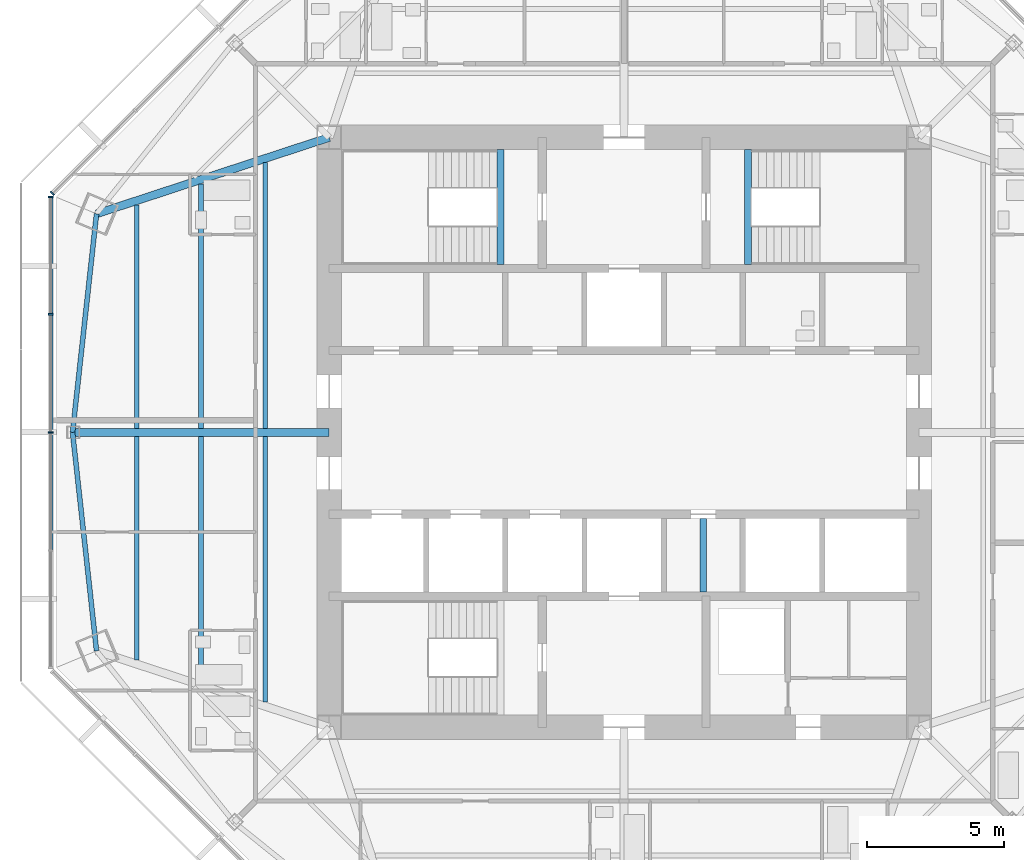
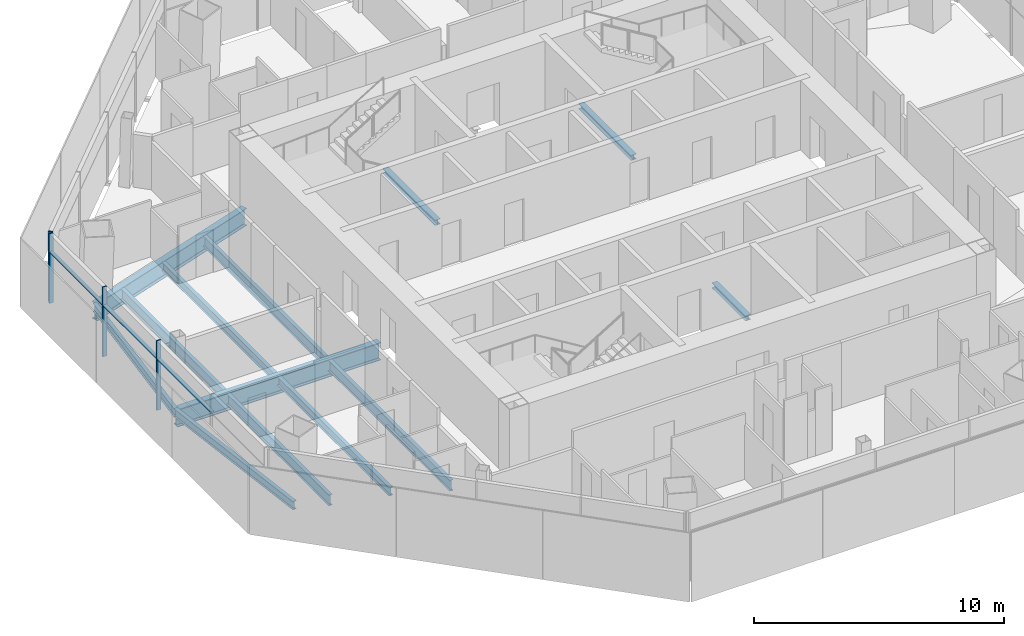
# One storey, part 3 of 15: 13 beams, 7 members, 2 elements without a shape of their own.
"""IFC4 building model written with IfcOpenShell, lengths in metres."""

from ifc_helpers import new_model, si_unit, direction, frame, origin, origin_2d, place, context, subcontext, project, spatial, rectangle, i_section, extrude, source, transform, mapped, material, material_profile, profile_set, type_object, type_shapes, element, aggregate, save


model = new_model("IFC4")

# Units and contexts
model_context = context("Model", 3, precision=1e-05, world=origin(), true_north=direction((0.0, 1.0)))
body_context = subcontext(model_context, "Body", "Model", "MODEL_VIEW")
ifc_project = project(units=[si_unit("LENGTHUNIT", "METRE"), si_unit("AREAUNIT", "SQUARE_METRE"), si_unit("VOLUMEUNIT", "CUBIC_METRE"), si_unit("PLANEANGLEUNIT", "RADIAN"), si_unit("MASSUNIT", "GRAM", prefix="KILO")], contexts=[model_context])

# Site, building, storey
site_placement = place(None, origin())
site = spatial("IfcSite", under=ifc_project, at=site_placement, CompositionType="ELEMENT")
building_placement = place(site_placement, origin())
building = spatial("IfcBuilding", under=site, at=building_placement, Name="Mashrafa Tower", CompositionType="ELEMENT")
storey_placement = place(building_placement, frame((0.0, 0.0, 248.199951171875)))
storey = spatial("IfcBuildingStorey", under=building, at=storey_placement, Name="L59", CompositionType="ELEMENT", Elevation=248.199951171875)

# Beams
ifc_material_1 = material(Name="Steel ASTM A992", Category="steel")
ifc_material_profile_1 = material_profile(ifc_material_1, i_section(OverallWidth=0.177734375, OverallDepth=0.406494140625, WebThickness=0.0078125, FlangeThickness=0.012939453125, FilletRadius=0.01025390625, at=origin_2d()), Name="W16X40")
ifc_profile_set_1 = profile_set([ifc_material_profile_1], Name="Steel ASTM A992")
beam_type_1 = type_object("IfcBeamType", Name="Beam W16X40", PredefinedType="BEAM", material=ifc_profile_set_1)
for number, where, z_axis, x_axis, name in (
    (1, (-15.49951171875, -9.103515625, -0.403076171875), (0.0, 1.0, 0.0), (-1.0, 0.0, 0.0), "Floor beam L59 004"),
    (2, (-15.49951171875, 0.14599609375, -0.403076171875), (0.0, 1.0, 0.0), (-1.0, 0.0, 0.0), "Floor beam L59 005"),
):
    element("IfcBeam", number, at=place(storey_placement, frame(where, z_axis=z_axis, x_axis=x_axis)), inside=storey, type_object=beam_type_1, Name=name, PredefinedType="BEAM", context=body_context, shape_type="SweptSolid", body=[
        extrude(i_section(OverallWidth=0.177734375, OverallDepth=0.406494140625, WebThickness=0.0078125, FlangeThickness=0.012939453125, FilletRadius=0.01025390625, at=origin_2d()), origin(), (0.0, 0.0, 1.0), 8.95751953125),
    ])
for number, where, z_axis, x_axis, name in (
    (3, (-20.19921875, 0.0, -0.403076171875), (0.109106774504, -0.994030035641, 0.0), (0.994030035641, 0.109106774504, 0.0), "Spandrel beam L59 049"),
    (4, (-19.32080078125, 8.0029296875, -0.403076171875), (-0.109106774504, -0.994030035641, 0.0), (0.994030035641, -0.109106774504, 0.0), "Spandrel beam L59 051"),
):
    element("IfcBeam", number, at=place(storey_placement, frame(where, z_axis=z_axis, x_axis=x_axis)), inside=storey, type_object=beam_type_1, Name=name, PredefinedType="BEAM", context=body_context, shape_type="SweptSolid", body=[
        extrude(i_section(OverallWidth=0.177734375, OverallDepth=0.406494140625, WebThickness=0.0078125, FlangeThickness=0.012939453125, FilletRadius=0.01025390625, at=origin_2d()), origin(), (0.0, 0.0, 1.0), 8.051025390625),
    ])
ifc_material_2 = material(Name="Steel ASTM A992", Category="steel")
ifc_material_profile_2 = material_profile(ifc_material_2, i_section(OverallWidth=0.165771484375, OverallDepth=0.5283203125, WebThickness=0.009765625, FlangeThickness=0.013671875, FilletRadius=0.012939453125, at=origin_2d()), Name="W21X50")
ifc_profile_set_2 = profile_set([ifc_material_profile_2], Name="Steel ASTM A992")
beam_type_2 = type_object("IfcBeamType", Name="Beam W21X50", PredefinedType="BEAM", material=ifc_profile_set_2)
for number, where, z_axis, x_axis, name in (
    (5, (-17.849365234375, -8.332275390625, -0.464111328125), (0.0, 1.0, 0.0), (-1.0, 0.0, 0.0), "Floor beam L59 001"),
    (6, (-17.849365234375, 0.14599609375, -0.464111328125), (0.0, 1.0, 0.0), (-1.0, 0.0, 0.0), "Floor beam L59 002"),
):
    element("IfcBeam", number, at=place(storey_placement, frame(where, z_axis=z_axis, x_axis=x_axis)), inside=storey, type_object=beam_type_2, Name=name, PredefinedType="BEAM", context=body_context, shape_type="SweptSolid", body=[
        extrude(i_section(OverallWidth=0.165771484375, OverallDepth=0.5283203125, WebThickness=0.009765625, FlangeThickness=0.013671875, FilletRadius=0.012939453125, at=origin_2d()), origin(), (0.0, 0.0, 1.0), 8.186279296875),
    ])
for number, where, z_axis, x_axis, name in (
    (7, (-13.14990234375, -9.875, -0.464111328125), (0.0, 1.0, 0.0), (-1.0, 0.0, 0.0), "Floor beam L59 006"),
    (8, (-13.14990234375, 0.14599609375, -0.464111328125), (0.0, 1.0, 0.0), (-1.0, 0.0, 0.0), "Floor beam L59 007"),
):
    element("IfcBeam", number, at=place(storey_placement, frame(where, z_axis=z_axis, x_axis=x_axis)), inside=storey, type_object=beam_type_2, Name=name, PredefinedType="BEAM", context=body_context, shape_type="SweptSolid", body=[
        extrude(i_section(OverallWidth=0.165771484375, OverallDepth=0.5283203125, WebThickness=0.009765625, FlangeThickness=0.013671875, FilletRadius=0.012939453125, at=origin_2d()), origin(), (0.0, 0.0, 1.0), 9.72900390625),
    ])
ifc_material_3 = material(Name="Steel ASTM A992", Category="steel")
ifc_material_profile_3 = material_profile(ifc_material_3, i_section(OverallWidth=0.2919921875, OverallDepth=0.8408203125, WebThickness=0.0146484375, FlangeThickness=0.021728515625, FilletRadius=0.017333984375, at=origin_2d()), Name="W33X130")
ifc_profile_set_3 = profile_set([ifc_material_profile_3], Name="Steel ASTM A992")
beam_type_3 = type_object("IfcBeamType", Name="Beam W33X130", PredefinedType="BEAM", material=ifc_profile_set_3)
beam_1_placement = place(storey_placement, frame((-10.800048828125, 10.800048828125, -0.620361328125), z_axis=(-0.950116251982, -0.311895988624, 0.0), x_axis=(0.311895988624, -0.950116251982, 0.0)))
element("IfcBeam", 9, at=beam_1_placement, inside=storey, type_object=beam_type_3, Name="Radial girder L59 037", PredefinedType="BEAM", context=body_context, shape_type="SweptSolid", body=[
    extrude(i_section(OverallWidth=0.2919921875, OverallDepth=0.8408203125, WebThickness=0.0146484375, FlangeThickness=0.021728515625, FilletRadius=0.017333984375, at=origin_2d()), origin(), (0.0, 0.0, 1.0), 8.968017578125),
])
ifc_material_4 = material(Name="Steel ASTM A992", Category="steel")
ifc_material_profile_4 = material_profile(ifc_material_4, i_section(OverallWidth=0.2919921875, OverallDepth=0.8583984375, WebThickness=0.01708984375, FlangeThickness=0.031005859375, FilletRadius=0.017822265625, at=origin_2d()), Name="W33X169")
ifc_profile_set_4 = profile_set([ifc_material_profile_4], Name="Steel ASTM A992")
beam_type_4 = type_object("IfcBeamType", Name="Beam W33X169", PredefinedType="BEAM", material=ifc_profile_set_4)
beam_2_placement = place(storey_placement, frame((-10.800048828125, 0.0, -0.629150390625), z_axis=(-1.0, 0.0, 0.0), x_axis=(0.0, -1.0, 0.0)))
element("IfcBeam", 10, at=beam_2_placement, inside=storey, type_object=beam_type_4, Name="Radial girder L59 036", PredefinedType="BEAM", context=body_context, shape_type="SweptSolid", body=[
    extrude(i_section(OverallWidth=0.2919921875, OverallDepth=0.8583984375, WebThickness=0.01708984375, FlangeThickness=0.031005859375, FilletRadius=0.017822265625, at=origin_2d()), origin(), (0.0, 0.0, 1.0), 9.399169921875),
])
ifc_material_5 = material(Name="Steel ASTM A992", Category="steel")
ifc_material_profile_5 = material_profile(ifc_material_5, i_section(OverallWidth=0.25390625, OverallDepth=0.25390625, WebThickness=0.008544921875, FlangeThickness=0.01416015625, FilletRadius=0.010009765625, at=origin_2d()), Name="W10X49")
ifc_profile_set_5 = profile_set([ifc_material_profile_5], Name="Steel ASTM A992")
beam_type_5 = type_object("IfcBeamType", Name="Hoistway beam W10X49", PredefinedType="BEAM", material=ifc_profile_set_5)
beam_3_placement = place(storey_placement, frame((2.89990234375, -5.85009765625, -0.326904296875), z_axis=(0.0, 1.0, 0.0), x_axis=(-1.0, 0.0, 0.0)))
element("IfcBeam", 11, at=beam_3_placement, inside=storey, type_object=beam_type_5, Name="Hoistway beam L59 07", PredefinedType="BEAM", context=body_context, shape_type="SweptSolid", body=[
    extrude(i_section(OverallWidth=0.25390625, OverallDepth=0.25390625, WebThickness=0.008544921875, FlangeThickness=0.01416015625, FilletRadius=0.010009765625, at=origin_2d()), origin(), (0.0, 0.0, 1.0), 2.7001953125),
])
for number, where, z_axis, x_axis, name in (
    (12, (-4.530029296875, 6.14990234375, -0.326904296875), (0.0, 1.0, 0.0), (-1.0, 0.0, 0.0), "Stair S1 landing beam L59"),
    (13, (4.530029296875, 6.14990234375, -0.326904296875), (0.0, 1.0, 0.0), (-1.0, 0.0, 0.0), "Stair S2 landing beam L59"),
):
    element("IfcBeam", number, at=place(storey_placement, frame(where, z_axis=z_axis, x_axis=x_axis)), inside=storey, type_object=beam_type_5, Name=name, PredefinedType="BEAM", context=body_context, shape_type="SweptSolid", body=[
        extrude(i_section(OverallWidth=0.25390625, OverallDepth=0.25390625, WebThickness=0.008544921875, FlangeThickness=0.01416015625, FilletRadius=0.010009765625, at=origin_2d()), origin(), (0.0, 0.0, 1.0), 4.2001953125),
    ])

# Curtain wall, member
ifc_material_6 = material(Name="Unitised aluminium curtain wall", Category="aluminium")
curtain_wall_type = type_object("IfcCurtainWallType", Name="Apartment curtain wall, zone 3 CW-C 180 deep", PredefinedType="NOTDEFINED", material=ifc_material_6)
curtain_wall_1_placement = place(storey_placement, origin())
curtain_wall_1 = element("IfcCurtainWall", 14, at=curtain_wall_1_placement, inside=storey, type_object=curtain_wall_type, Name="Apartment curtain wall, zone 3 L59 north-west", PredefinedType="NOTDEFINED")
ifc_material_7 = material(Name="Extruded aluminium mullion", Category="aluminium")
ifc_material_profile_6 = material_profile(ifc_material_7, rectangle(XDim=0.179931640625, YDim=0.06005859375, at=origin_2d()), Name="Mullion 60x180")
ifc_profile_set_6 = profile_set([ifc_material_profile_6], Name="Extruded aluminium mullion")
member_type_1 = type_object("IfcMemberType", Name="Mullion CW-C 60 x 180", PredefinedType="MULLION", material=ifc_profile_set_6)
shared_shape_1 = source(origin(), body_context, "Body", "SweptSolid", [
    extrude(rectangle(XDim=0.179931640625, YDim=0.06005859375, at=origin_2d()), origin(), (0.0, 0.0, 1.0), 3.400146484375),
])
type_shapes(member_type_1, [shared_shape_1])
member_1_placement = place(storey_placement, frame((-20.93896484375, 8.75048828125, 0.0), z_axis=(0.0, 0.0, 1.0), x_axis=(0.707106781187, -0.707106781187, 0.0)))
member_1 = element("IfcMember", 15, at=member_1_placement, type_object=member_type_1, Name="CW-C mullion 5", PredefinedType="MULLION", context=body_context, shape_type="MappedRepresentation", body=[
    mapped(shared_shape_1, transform((0.0, 0.0, 0.0))),
])
aggregate(curtain_wall_1, [member_1])

# Curtain wall, members
curtain_wall_2_placement = place(storey_placement, origin())
curtain_wall_2 = element("IfcCurtainWall", 16, at=curtain_wall_2_placement, inside=storey, type_object=curtain_wall_type, Name="Apartment curtain wall, zone 3 L59 west", PredefinedType="NOTDEFINED")
member_2_placement = place(storey_placement, frame((-20.993408203125, 8.618408203125, 0.0), z_axis=(0.0, 0.0, 1.0), x_axis=(1.0, 0.0, 0.0)))
member_2 = element("IfcMember", 17, at=member_2_placement, type_object=member_type_1, Name="CW-C mullion 1", PredefinedType="MULLION", context=body_context, shape_type="MappedRepresentation", body=[
    mapped(shared_shape_1, transform((0.0, 0.0, 0.0))),
])
member_3_placement = place(storey_placement, frame((-20.993408203125, 4.32421875, 0.0), z_axis=(0.0, 0.0, 1.0), x_axis=(1.0, 0.0, 0.0)))
member_3 = element("IfcMember", 18, at=member_3_placement, type_object=member_type_1, Name="CW-C mullion 2", PredefinedType="MULLION", context=body_context, shape_type="MappedRepresentation", body=[
    mapped(shared_shape_1, transform((0.0, 0.0, 0.0))),
])
member_4_placement = place(storey_placement, frame((-20.993408203125, 0.0, 0.0), z_axis=(0.0, 0.0, 1.0), x_axis=(1.0, 0.0, 0.0)))
member_4 = element("IfcMember", 19, at=member_4_placement, type_object=member_type_1, Name="CW-C mullion 3", PredefinedType="MULLION", context=body_context, shape_type="MappedRepresentation", body=[
    mapped(shared_shape_1, transform((0.0, 0.0, 0.0))),
])
ifc_material_8 = material(Name="Extruded aluminium transom", Category="aluminium")
ifc_material_profile_7 = material_profile(ifc_material_8, rectangle(XDim=0.14404296875, YDim=0.074951171875, at=origin_2d()), Name="Transom 75x144")
ifc_profile_set_7 = profile_set([ifc_material_profile_7], Name="Extruded aluminium transom")
member_type_2 = type_object("IfcMemberType", Name="Transom CW-C 75 x 144", PredefinedType="MULLION", material=ifc_profile_set_7)
shared_shape_2 = source(origin(), body_context, "Body", "SweptSolid", [
    extrude(rectangle(XDim=0.14404296875, YDim=0.074951171875, at=origin_2d()), origin(), (0.0, 0.0, 1.0), 4.234375),
])
member_5_placement = place(storey_placement, frame((-20.993408203125, 8.588623046875, 2.5), z_axis=(0.0, -1.0, 0.0), x_axis=(1.0, 0.0, 0.0)))
member_5 = element("IfcMember", 20, at=member_5_placement, type_object=member_type_2, Name="CW-C transom 1", PredefinedType="MULLION", context=body_context, shape_type="MappedRepresentation", body=[
    mapped(shared_shape_2, transform((0.0, 0.0, 0.0))),
])
shared_shape_3 = source(origin(), body_context, "Body", "SweptSolid", [
    extrude(rectangle(XDim=0.14404296875, YDim=0.074951171875, at=origin_2d()), origin(), (0.0, 0.0, 1.0), 4.26416015625),
])
type_shapes(member_type_2, [shared_shape_2, shared_shape_3])
member_6_placement = place(storey_placement, frame((-20.993408203125, 4.294189453125, 2.5), z_axis=(0.0, -1.0, 0.0), x_axis=(1.0, 0.0, 0.0)))
member_6 = element("IfcMember", 21, at=member_6_placement, type_object=member_type_2, Name="CW-C transom 2", PredefinedType="MULLION", context=body_context, shape_type="MappedRepresentation", body=[
    mapped(shared_shape_3, transform((0.0, 0.0, 0.0))),
])
member_7_placement = place(storey_placement, frame((-20.993408203125, -0.030029296875, 2.5), z_axis=(0.0, -1.0, 0.0), x_axis=(1.0, 0.0, 0.0)))
member_7 = element("IfcMember", 22, at=member_7_placement, type_object=member_type_2, Name="CW-C transom 3", PredefinedType="MULLION", context=body_context, shape_type="MappedRepresentation", body=[
    mapped(shared_shape_3, transform((0.0, 0.0, 0.0))),
])
aggregate(curtain_wall_2, [member_2, member_3, member_4, member_5, member_6, member_7])

save(model, "model.ifc")
